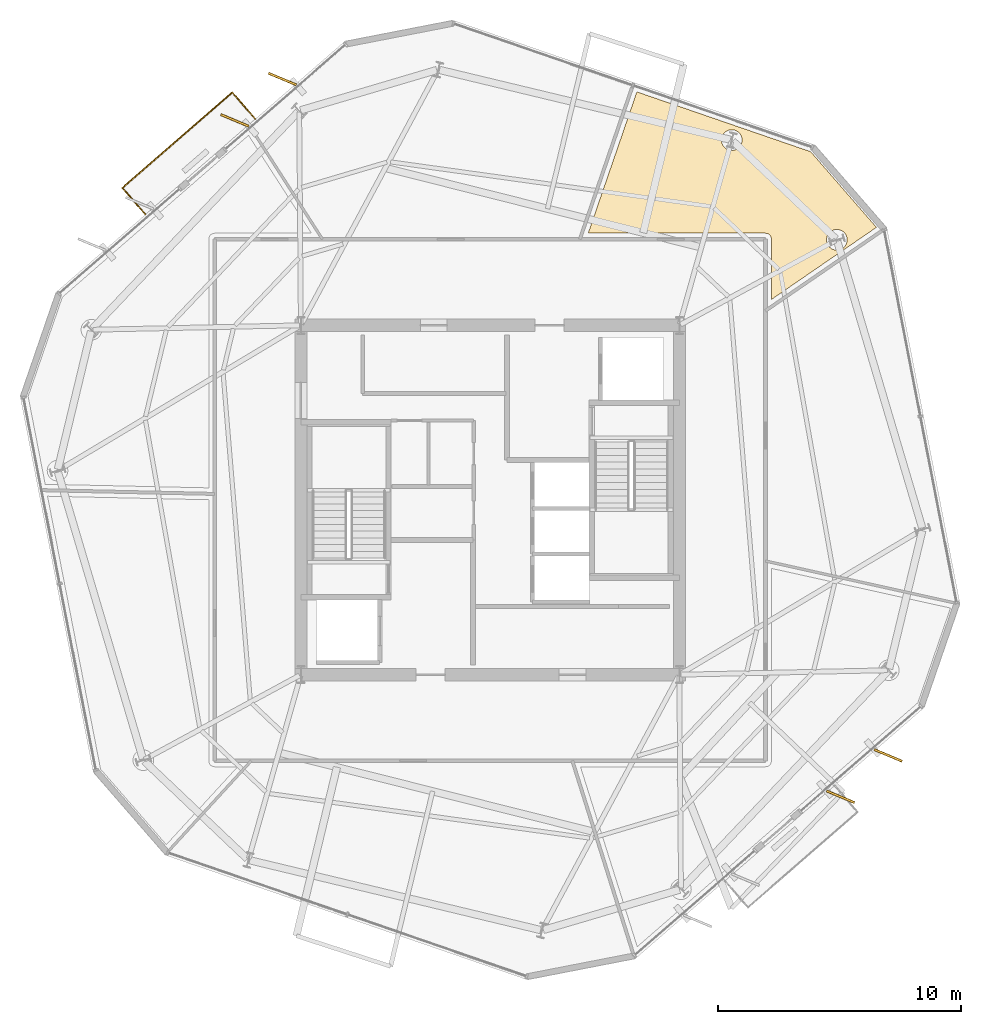
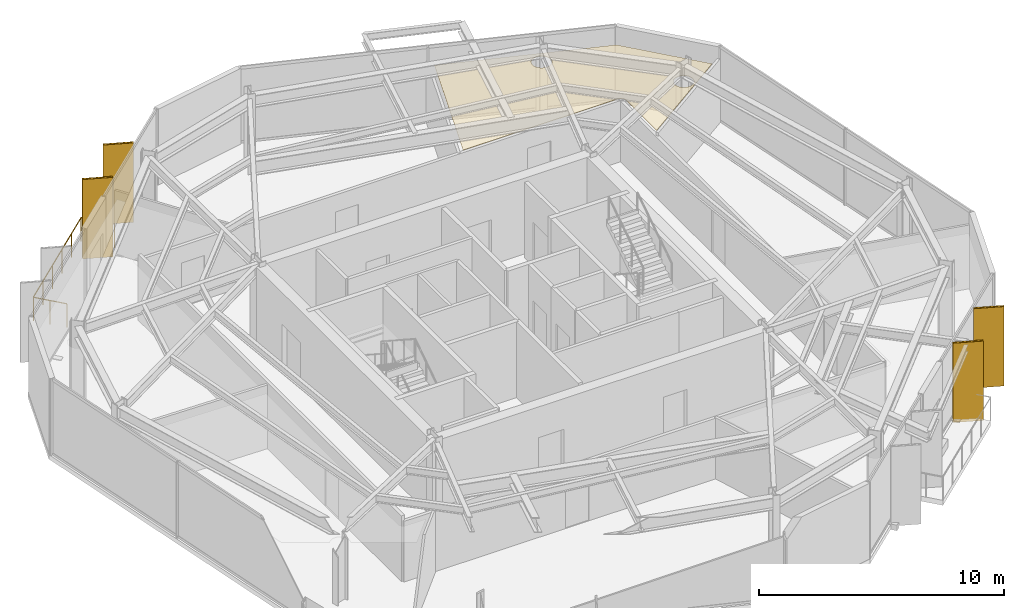
# One storey, part 11 of 11: 5 coverings, 4 shading devices, 1 railing.
"""IFC4 building model written with IfcOpenShell, lengths in metres."""

from ifc_helpers import new_model, si_unit, direction, frame, origin, origin_2d, place, context, subcontext, project, spatial, polyline, rectangle, circle, outline, extrude, material, layer, layer_set, type_object, element, save


model = new_model("IFC4")

# Units and contexts
model_context = context("Model", 3, precision=1e-05, world=origin(), true_north=direction((0.0, 1.0)))
body_context = subcontext(model_context, "Body", "Model", "MODEL_VIEW")
ifc_project = project(units=[si_unit("LENGTHUNIT", "METRE"), si_unit("AREAUNIT", "SQUARE_METRE"), si_unit("VOLUMEUNIT", "CUBIC_METRE"), si_unit("PLANEANGLEUNIT", "RADIAN"), si_unit("MASSUNIT", "GRAM", prefix="KILO")], contexts=[model_context])

# Site, building, storey
site_placement = place(None, origin())
site = spatial("IfcSite", under=ifc_project, at=site_placement, CompositionType="ELEMENT")
building_placement = place(site_placement, origin())
building = spatial("IfcBuilding", under=site, at=building_placement, Name="Kranzbogen Civic Tower", CompositionType="ELEMENT")
storey_placement = place(building_placement, frame((0.0, 0.0, 188.800048828125)))
storey = spatial("IfcBuildingStorey", under=building, at=storey_placement, Name="L45", CompositionType="ELEMENT", Elevation=188.800048828125)

# Coverings
ifc_material_1 = material(Name="Pale Anodised Aluminium", Category="aluminium")
ifc_layer_1 = layer(ifc_material_1, 0.02490234375, Name="Pale Anodised Aluminium")
ifc_layer_set_1 = layer_set([ifc_layer_1], Name="Pale Anodised Aluminium")
covering_type_1 = type_object("IfcCoveringType", Name="Anodised Aluminium Vertical Fin Cladding 25 mm", PredefinedType="CLADDING", material=ifc_layer_set_1)
for number, where, z_axis, x_axis, name in (
    (1, (16.43994140625, 42.35107421875, -0.14013671875), (0.0, 0.0, 1.0), (-0.922544824647, 0.385889940938, 0.0), "L45 vertical fin pale-metal cladding F2-1"),
    (2, (14.47802734375, 40.64501953125, -0.14013671875), (0.0, 0.0, 1.0), (-0.922544824647, 0.385889940938, 0.0), "L45 vertical fin pale-metal cladding F2-2"),
    (3, (39.446044921875, 12.76708984375, -0.14013671875), (0.0, 0.0, 1.0), (0.922544824647, -0.385889940938, 0.0), "L45 vertical fin pale-metal cladding F5-4"),
    (4, (41.408935546875, 14.472900390625, -0.14013671875), (0.0, 0.0, 1.0), (0.922544824647, -0.385889940938, 0.0), "L45 vertical fin pale-metal cladding F5-5"),
):
    element("IfcCovering", number, at=place(storey_placement, frame(where, z_axis=z_axis, x_axis=x_axis)), inside=storey, type_object=covering_type_1, Name=name, PredefinedType="CLADDING", context=body_context, shape_type="SweptSolid", body=[
        extrude(rectangle(XDim=1.25, YDim=0.10009765625, at=origin_2d()), origin(), (0.0, 0.0, 1.0), 3.9599609375),
    ])

# Shading devices
ifc_material_2 = material(Name="Anodised Bronze Aluminium", Category="aluminium")
shading_device_type = type_object("IfcShadingDeviceType", Name="Anodised Bronze Vertical Facade Fin 1250x80", PredefinedType="USERDEFINED", material=ifc_material_2)
for number, where, z_axis, x_axis, name in (
    (5, (16.43994140625, 42.35107421875, -0.14013671875), (0.0, 0.0, 1.0), (-0.922544824647, 0.385889940938, 0.0), "L45 vertical exterior shading fin F2-1"),
    (6, (14.47802734375, 40.64501953125, -0.14013671875), (0.0, 0.0, 1.0), (-0.922544824647, 0.385889940938, 0.0), "L45 vertical exterior shading fin F2-2"),
    (7, (39.446044921875, 12.76708984375, -0.14013671875), (0.0, 0.0, 1.0), (0.922544824647, -0.385889940938, 0.0), "L45 vertical exterior shading fin F5-4"),
    (8, (41.408935546875, 14.472900390625, -0.14013671875), (0.0, 0.0, 1.0), (0.922544824647, -0.385889940938, 0.0), "L45 vertical exterior shading fin F5-5"),
):
    element("IfcShadingDevice", number, at=place(storey_placement, frame(where, z_axis=z_axis, x_axis=x_axis)), inside=storey, type_object=shading_device_type, Name=name, ObjectType="FIN", PredefinedType="USERDEFINED", context=body_context, shape_type="SweptSolid", body=[
        extrude(rectangle(XDim=1.25, YDim=0.080078125, at=origin_2d()), origin(), (0.0, 0.0, 1.0), 3.9599609375),
    ])

# Railing
railing_type = type_object("IfcRailingType", Name="Cantilevered Balcony Glass and Bronze Balustrade 1200", PredefinedType="BALUSTRADE", material=ifc_material_2)
railing_placement = place(storey_placement, frame((15.323974609375, 40.7041015625, 0.0)))
element("IfcRailing", 9, at=railing_placement, inside=storey, type_object=railing_type, Name="L45 exterior terrace balustrade L45-TB2", PredefinedType="BALUSTRADE", context=body_context, shape_type="SweptSolid", body=[
    extrude(circle(Radius=0.02392578125, at=origin_2d()), frame((0.0, 0.0, 1.17578125), z_axis=(-0.656032754625, 0.754732419377, 0.0), x_axis=(-0.754732419377, -0.656032754625, 0.0)), (0.0, 0.0, 1.0), 1.449462890625),
    extrude(circle(Radius=0.02392578125, at=origin_2d()), frame((-0.950927734375, 1.093994140625, 1.17578125), z_axis=(-0.754722900583, -0.656043705354, 0.0), x_axis=(0.656043705354, -0.754722900583, 0.0)), (0.0, 0.0, 1.0), 5.999755859375),
    extrude(circle(Radius=0.02392578125, at=origin_2d()), frame((-5.47900390625, -2.842041015625, 1.17578125), z_axis=(0.656032754625, -0.754732419377, 0.0), x_axis=(0.754732419377, 0.656032754625, 0.0)), (0.0, 0.0, 1.0), 1.449462890625),
    extrude(circle(Radius=0.02099609375, at=origin_2d()), origin(), (0.0, 0.0, 1.0), 1.15185546875),
    extrude(circle(Radius=0.02099609375, at=origin_2d()), frame((-0.4755859375, 0.546875, 0.0)), (0.0, 0.0, 1.0), 1.15185546875),
    extrude(circle(Radius=0.02099609375, at=origin_2d()), frame((-0.950927734375, 1.093994140625, 0.0)), (0.0, 0.0, 1.0), 1.15185546875),
    extrude(circle(Radius=0.02099609375, at=origin_2d()), frame((-1.8564453125, 0.306884765625, 0.0)), (0.0, 0.0, 1.0), 1.15185546875),
    extrude(circle(Radius=0.02099609375, at=origin_2d()), frame((-2.76220703125, -0.48046875, 0.0)), (0.0, 0.0, 1.0), 1.15185546875),
    extrude(circle(Radius=0.02099609375, at=origin_2d()), frame((-3.667724609375, -1.267578125, 0.0)), (0.0, 0.0, 1.0), 1.15185546875),
    extrude(circle(Radius=0.02099609375, at=origin_2d()), frame((-4.573486328125, -2.054931640625, 0.0)), (0.0, 0.0, 1.0), 1.15185546875),
    extrude(circle(Radius=0.02099609375, at=origin_2d()), frame((-5.47900390625, -2.842041015625, 0.0)), (0.0, 0.0, 1.0), 1.15185546875),
    extrude(circle(Radius=0.02099609375, at=origin_2d()), frame((-5.00341796875, -3.38916015625, 0.0)), (0.0, 0.0, 1.0), 1.15185546875),
    extrude(circle(Radius=0.02099609375, at=origin_2d()), frame((-4.528076171875, -3.93603515625, 0.0)), (0.0, 0.0, 1.0), 1.15185546875),
])

# Covering
ifc_material_3 = material(Name="Perforated Acoustic Gypsum Ceiling")
ifc_layer_2 = layer(ifc_material_3, 0.02490234375, Name="Perforated Acoustic Gypsum Ceiling")
ifc_layer_set_2 = layer_set([ifc_layer_2], Name="Perforated Acoustic Gypsum Ceiling")
covering_type_2 = type_object("IfcCoveringType", Name="Perforated Acoustic Mineral Ceiling Tile 25 mm", PredefinedType="CEILING", material=ifc_layer_set_2)
covering_placement = place(storey_placement, frame((0.0, 0.0, 2.89990234375)))
element("IfcCovering", 10, at=covering_placement, inside=storey, type_object=covering_type_2, Name="L45 Central Mail Post Room acoustic ceiling", PredefinedType="CEILING", context=body_context, shape_type="SweptSolid", body=[
    extrude(outline(polyline([(40.925048828125, 36.238037109375), (36.594970703125, 33.262939453125), (36.594970703125, 35.75), (36.594970703125, 35.759033203125), (36.593994140625, 35.764892578125), (36.593017578125, 35.782958984375), (36.592041015625, 35.7890625), (36.587890625, 35.805908203125), (36.5869140625, 35.81298828125), (36.58203125, 35.830078125), (36.580078125, 35.8359375), (36.572998046875, 35.85205078125), (36.570068359375, 35.85791015625), (36.56201171875, 35.873046875), (36.55810546875, 35.87890625), (36.549072265625, 35.89306640625), (36.544921875, 35.89794921875), (36.533935546875, 35.912109375), (36.529052734375, 35.9169921875), (36.51708984375, 35.928955078125), (36.511962890625, 35.93408203125), (36.498046875, 35.945068359375), (36.492919921875, 35.948974609375), (36.47900390625, 35.9580078125), (36.472900390625, 35.9619140625), (36.4580078125, 35.969970703125), (36.451904296875, 35.972900390625), (36.43603515625, 35.97998046875), (36.429931640625, 35.98193359375), (36.4130859375, 35.987060546875), (36.406005859375, 35.988037109375), (36.388916015625, 35.991943359375), (36.383056640625, 35.992919921875), (36.364990234375, 35.993896484375), (36.35888671875, 35.9951171875), (36.35009765625, 35.9951171875), (29.044921875, 35.9951171875), (31.051025390625, 41.821044921875), (38.216064453125, 39.35400390625), (40.925048828125, 36.238037109375)]), holes=[polyline([(39.68603515625, 35.56103515625), (39.66796875, 35.52294921875), (39.64697265625, 35.488037109375), (39.6220703125, 35.4541015625), (39.593994140625, 35.423095703125), (39.56298828125, 35.39501953125), (39.529052734375, 35.3701171875), (39.493896484375, 35.34912109375), (39.4560546875, 35.3310546875), (39.4169921875, 35.31689453125), (39.3759765625, 35.306884765625), (39.3349609375, 35.301025390625), (39.29296875, 35.299072265625), (39.2509765625, 35.301025390625), (39.2099609375, 35.306884765625), (39.1689453125, 35.31689453125), (39.1298828125, 35.3310546875), (39.092041015625, 35.34912109375), (39.056884765625, 35.3701171875), (39.02294921875, 35.39501953125), (38.991943359375, 35.423095703125), (38.964111328125, 35.4541015625), (38.93896484375, 35.488037109375), (38.91796875, 35.52294921875), (38.89990234375, 35.56103515625), (38.885986328125, 35.60009765625), (38.8759765625, 35.64111328125), (38.8701171875, 35.681884765625), (38.867919921875, 35.72412109375), (38.8701171875, 35.76611328125), (38.8759765625, 35.806884765625), (38.885986328125, 35.847900390625), (38.89990234375, 35.886962890625), (38.91796875, 35.925048828125), (38.93896484375, 35.9599609375), (38.964111328125, 35.993896484375), (38.991943359375, 36.02490234375), (39.02294921875, 36.052978515625), (39.056884765625, 36.077880859375), (39.092041015625, 36.09912109375), (39.1298828125, 36.116943359375), (39.1689453125, 36.131103515625), (39.2099609375, 36.14111328125), (39.2509765625, 36.14697265625), (39.29296875, 36.14892578125), (39.3349609375, 36.14697265625), (39.3759765625, 36.14111328125), (39.4169921875, 36.131103515625), (39.4560546875, 36.116943359375), (39.493896484375, 36.09912109375), (39.529052734375, 36.077880859375), (39.56298828125, 36.052978515625), (39.593994140625, 36.02490234375), (39.6220703125, 35.993896484375), (39.64697265625, 35.9599609375), (39.66796875, 35.925048828125), (39.68603515625, 35.886962890625), (39.699951171875, 35.847900390625), (39.7099609375, 35.806884765625), (39.716064453125, 35.76611328125), (39.718017578125, 35.72412109375), (39.716064453125, 35.681884765625), (39.7099609375, 35.64111328125), (39.699951171875, 35.60009765625), (39.68603515625, 35.56103515625)]), polyline([(35.35400390625, 39.672119140625), (35.3359375, 39.634033203125), (35.31494140625, 39.59912109375), (35.2900390625, 39.56494140625), (35.261962890625, 39.533935546875), (35.23095703125, 39.506103515625), (35.197021484375, 39.48095703125), (35.162109375, 39.4599609375), (35.1240234375, 39.44189453125), (35.0849609375, 39.427978515625), (35.0439453125, 39.41796875), (35.0029296875, 39.412109375), (34.9609375, 39.409912109375), (34.9189453125, 39.412109375), (34.8779296875, 39.41796875), (34.8369140625, 39.427978515625), (34.798095703125, 39.44189453125), (34.760009765625, 39.4599609375), (34.72509765625, 39.48095703125), (34.69091796875, 39.506103515625), (34.659912109375, 39.533935546875), (34.632080078125, 39.56494140625), (34.60693359375, 39.59912109375), (34.5859375, 39.634033203125), (34.568115234375, 39.672119140625), (34.553955078125, 39.7109375), (34.5439453125, 39.751953125), (34.5380859375, 39.79296875), (34.535888671875, 39.8349609375), (34.5380859375, 39.876953125), (34.5439453125, 39.91796875), (34.553955078125, 39.958984375), (34.568115234375, 39.998046875), (34.5859375, 40.035888671875), (34.60693359375, 40.071044921875), (34.632080078125, 40.10498046875), (34.659912109375, 40.135986328125), (34.69091796875, 40.1640625), (34.72509765625, 40.18896484375), (34.760009765625, 40.2099609375), (34.798095703125, 40.22802734375), (34.8369140625, 40.241943359375), (34.8779296875, 40.251953125), (34.9189453125, 40.258056640625), (34.9609375, 40.260009765625), (35.0029296875, 40.258056640625), (35.0439453125, 40.251953125), (35.0849609375, 40.241943359375), (35.1240234375, 40.22802734375), (35.162109375, 40.2099609375), (35.197021484375, 40.18896484375), (35.23095703125, 40.1640625), (35.261962890625, 40.135986328125), (35.2900390625, 40.10498046875), (35.31494140625, 40.071044921875), (35.3359375, 40.035888671875), (35.35400390625, 39.998046875), (35.367919921875, 39.958984375), (35.3779296875, 39.91796875), (35.384033203125, 39.876953125), (35.385986328125, 39.8349609375), (35.384033203125, 39.79296875), (35.3779296875, 39.751953125), (35.367919921875, 39.7109375), (35.35400390625, 39.672119140625)])]), origin(), (0.0, 0.0, 1.0), 0.025146484375),
])

save(model, "model.ifc")
